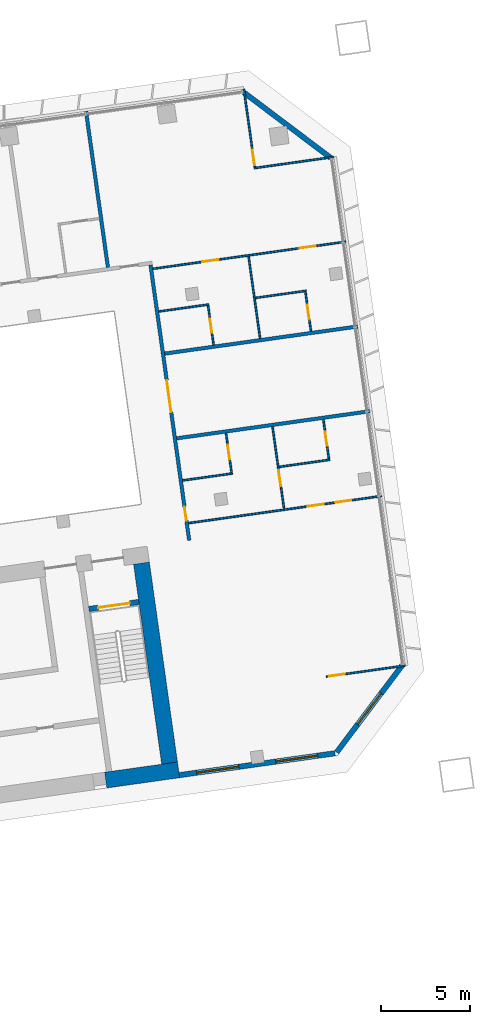
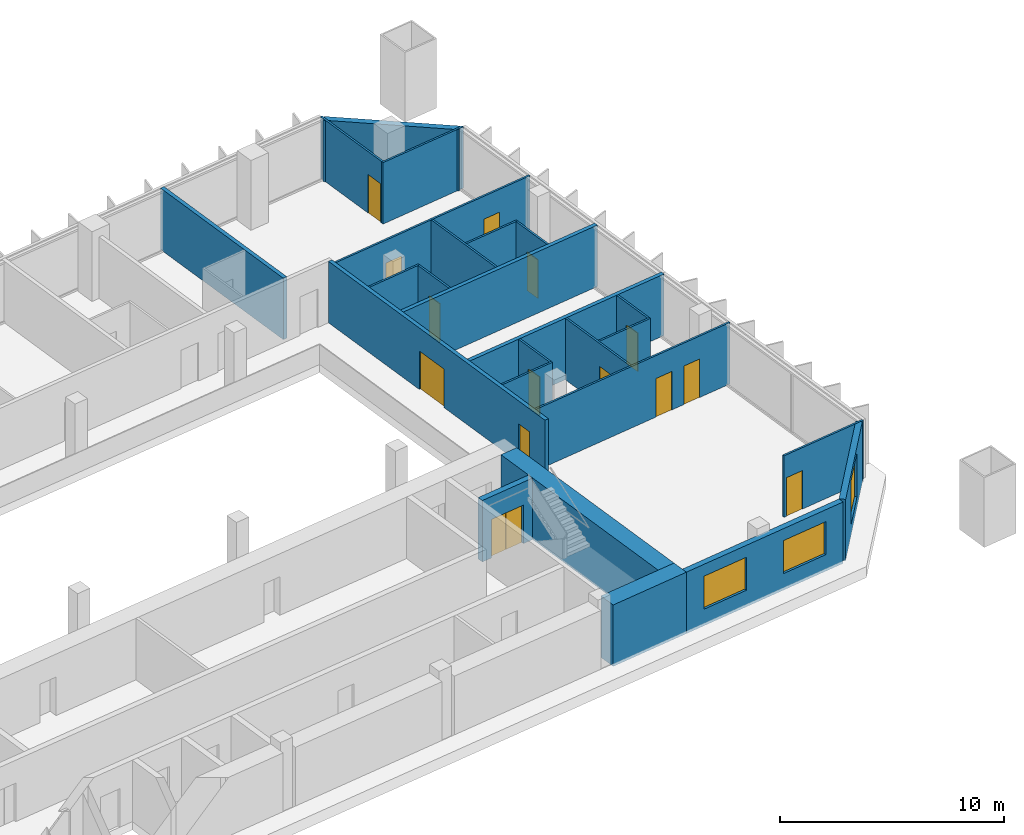
# One storey, part 21 of 24: 25 walls, 14 doors, 3 windows, 17 openings.
"""IFC4 building model written with IfcOpenShell, lengths in metres."""

from ifc_helpers import new_model, si_unit, direction, frame, frame_2d, origin, place, context, subcontext, project, spatial, rectangle, extrude, material, layer, layer_set, type_object, element, fill, save


model = new_model("IFC4")

# Units and contexts
model_context = context("Model", 3, precision=1e-05, world=origin(), true_north=direction((0.0, 1.0)))
body_context = subcontext(model_context, "Body", "Model", "MODEL_VIEW")
ifc_project = project(units=[si_unit("LENGTHUNIT", "METRE"), si_unit("AREAUNIT", "SQUARE_METRE"), si_unit("VOLUMEUNIT", "CUBIC_METRE"), si_unit("PLANEANGLEUNIT", "RADIAN"), si_unit("MASSUNIT", "GRAM", prefix="KILO")], contexts=[model_context])

# Site, building, storey
site_placement = place(None, origin())
site = spatial("IfcSite", under=ifc_project, at=site_placement, CompositionType="ELEMENT")
building_placement = place(site_placement, origin())
building = spatial("IfcBuilding", under=site, at=building_placement, Name="Mirante Cascada Hotel Towers", CompositionType="ELEMENT")
storey_placement = place(building_placement, frame((0.0, 0.0, 50.9)))
storey = spatial("IfcBuildingStorey", under=building, at=storey_placement, Name="L09", CompositionType="ELEMENT", Elevation=50.9)

# Walls
ifc_material_1 = material(Name="Fire-rated plasterboard on metal studs")
ifc_layer_1 = layer(ifc_material_1, 0.2)
ifc_layer_set_1 = layer_set([ifc_layer_1], Name="Compartment wall 200 EI 120")
wall_type_1 = type_object("IfcWallType", Name="Compartment wall 200 EI 120", PredefinedType="PARTITIONING", material=ifc_layer_set_1)
for number, where, z_axis, x_axis, name in (
    (1, (90.4064, 6.4896, 0.0), (0.0, 0.0, 1.0), (0.990268, 0.1391733, 0.0), "Wall 2-L09-08"),
    (2, (89.7337, 11.2758, 0.0), (0.0, 0.0, 1.0), (0.990268, 0.1391733, 0.0), "Wall 2-L09-12"),
):
    element("IfcWall", number, at=place(storey_placement, frame(where, z_axis=z_axis, x_axis=x_axis)), inside=storey, type_object=wall_type_1, Name=name, PredefinedType="PARTITIONING", context=body_context, shape_type="SweptSolid", body=[
        extrude(rectangle(XDim=11.0, YDim=0.2, at=frame_2d((5.5, 0.0))), origin(), (0.0, 0.0, 1.0), 3.35),
    ])
wall_1_placement = place(storey_placement, frame((85.2864, 24.9567, 0.0), z_axis=(0.0, 0.0, 1.0), x_axis=(0.1391684, -0.9902687, 0.0)))
element("IfcWall", 3, at=wall_1_placement, inside=storey, type_object=wall_type_1, Name="Wall 2-L09-49", PredefinedType="PARTITIONING", context=body_context, shape_type="SweptSolid", body=[
    extrude(rectangle(XDim=8.9, YDim=0.2, at=frame_2d((4.45, 0.0))), origin(), (0.0, 0.0, 1.0), 3.35),
])

# Wall, openings, doors
wall_2_placement = place(storey_placement, frame((91.1145, 0.7321, 0.0), z_axis=(0.0, 0.0, 1.0), x_axis=(-0.1391721, 0.9902682, 0.0)))
wall_2 = element("IfcWall", 4, at=wall_2_placement, inside=storey, type_object=wall_type_1, Name="Wall 2-L09-50", PredefinedType="PARTITIONING", context=body_context, shape_type="SweptSolid", body=[
    extrude(rectangle(XDim=15.7, YDim=0.2, at=frame_2d((7.85, 0.0))), origin(), (0.0, 0.0, 1.0), 3.35),
])
opening_1_placement = place(wall_2_placement, frame((1.1167, 0.0, 0.0)))
opening_1 = element("IfcOpeningElement", 5, at=opening_1_placement, cuts=wall_2, Name="Opening D2-L09-34", PredefinedType="OPENING", context=body_context, shape_type="SweptSolid", body=[
    extrude(rectangle(XDim=0.8, YDim=2.1, at=frame_2d((0.4, 1.05))), frame((0.0, 0.1, 0.0), z_axis=(0.0, -1.0, 0.0), x_axis=(1.0, 0.0, 0.0)), (0.0, 0.0, 1.0), 0.2),
])
opening_2_placement = place(wall_2_placement, frame((7.3167, 0.0, 0.0)))
opening_2 = element("IfcOpeningElement", 6, at=opening_2_placement, cuts=wall_2, Name="Opening D2-L09-35", PredefinedType="OPENING", context=body_context, shape_type="SweptSolid", body=[
    extrude(rectangle(XDim=1.8, YDim=2.1, at=frame_2d((0.9, 1.05))), frame((0.0, 0.1, 0.0), z_axis=(0.0, -1.0, 0.0), x_axis=(1.0, 0.0, 0.0)), (0.0, 0.0, 1.0), 0.2),
])
ifc_material_2 = material(Name="Fire-rated timber door leaf", Category="wood")
door_type_1 = type_object("IfcDoorType", Name="Bathroom door DG4 800x2100 EI 60", OperationType="SINGLE_SWING_LEFT", PredefinedType="DOOR", material=ifc_material_2)
door_1_placement = place(opening_1_placement, origin())
door_1 = element("IfcDoor", 7, at=door_1_placement, inside=storey, type_object=door_type_1, Name="Door D2-L09-34", OperationType="SINGLE_SWING_LEFT", OverallHeight=2.1, OverallWidth=0.8, PredefinedType="DOOR", context=body_context, shape_type="SweptSolid", body=[
    extrude(rectangle(XDim=0.8, YDim=2.1, at=frame_2d((0.4, 1.05))), frame((0.0, 0.025, 0.0), z_axis=(0.0, -1.0, 0.0), x_axis=(1.0, 0.0, 0.0)), (0.0, 0.0, 1.0), 0.05),
])
fill(opening_1, door_1)
ifc_material_3 = material(Name="Fire-rated timber door leaf", Category="wood")
door_type_2 = type_object("IfcDoorType", Name="Suite double door DG2 1800x2100 EI 60", OperationType="DOUBLE_DOOR_SINGLE_SWING", PredefinedType="DOOR", material=ifc_material_3)
door_2_placement = place(opening_2_placement, origin())
door_2 = element("IfcDoor", 8, at=door_2_placement, inside=storey, type_object=door_type_2, Name="Door D2-L09-35", OperationType="DOUBLE_DOOR_SINGLE_SWING", OverallHeight=2.1, OverallWidth=1.8, PredefinedType="DOOR", context=body_context, shape_type="SweptSolid", body=[
    extrude(rectangle(XDim=0.895, YDim=2.1, at=frame_2d((0.4475, 1.05))), frame((0.0, 0.025, 0.0), z_axis=(0.0, -1.0, 0.0), x_axis=(1.0, 0.0, 0.0)), (0.0, 0.0, 1.0), 0.05),
    extrude(rectangle(XDim=0.895, YDim=2.1, at=frame_2d((1.3525, 1.05))), frame((0.0, 0.025, 0.0), z_axis=(0.0, -1.0, 0.0), x_axis=(1.0, 0.0, 0.0)), (0.0, 0.0, 1.0), 0.05),
])
fill(opening_2, door_2)

# Wall, opening, door
ifc_material_4 = material(Name="Plasterboard on metal studs")
ifc_layer_2 = layer(ifc_material_4, 0.1)
ifc_layer_set_2 = layer_set([ifc_layer_2], Name="Partition 100")
wall_type_2 = type_object("IfcWallType", Name="Partition 100", PredefinedType="PARTITIONING", material=ifc_layer_set_2)
wall_3_placement = place(storey_placement, frame((98.8611, -6.9647, 0.0), z_axis=(0.0, 0.0, 1.0), x_axis=(0.9902674, 0.1391779, 0.0)))
wall_3 = element("IfcWall", 9, at=wall_3_placement, inside=storey, type_object=wall_type_2, Name="Wall 2-L09-02", PredefinedType="PARTITIONING", context=body_context, shape_type="SweptSolid", body=[
    extrude(rectangle(XDim=4.5, YDim=0.1, at=frame_2d((2.25, 0.0))), origin(), (0.0, 0.0, 1.0), 3.35),
])
opening_3_placement = place(wall_3_placement, frame((0.15, 0.0, 0.0)))
opening_3 = element("IfcOpeningElement", 10, at=opening_3_placement, cuts=wall_3, Name="Opening D2-L09-02", PredefinedType="OPENING", context=body_context, shape_type="SweptSolid", body=[
    extrude(rectangle(XDim=0.9, YDim=2.1, at=frame_2d((0.45, 1.05))), frame((0.0, 0.05, 0.0), z_axis=(0.0, -1.0, 0.0), x_axis=(1.0, 0.0, 0.0)), (0.0, 0.0, 1.0), 0.1),
])
ifc_material_5 = material(Name="Timber door leaf", Category="wood")
door_type_3 = type_object("IfcDoorType", Name="Room door DG3 900x2100", OperationType="SINGLE_SWING_LEFT", PredefinedType="DOOR", material=ifc_material_5)
door_3_placement = place(opening_3_placement, origin())
door_3 = element("IfcDoor", 11, at=door_3_placement, inside=storey, type_object=door_type_3, Name="Door D2-L09-02", OperationType="SINGLE_SWING_LEFT", OverallHeight=2.1, OverallWidth=0.9, PredefinedType="DOOR", context=body_context, shape_type="SweptSolid", body=[
    extrude(rectangle(XDim=0.9, YDim=2.1, at=frame_2d((0.45, 1.05))), frame((0.0, 0.025, 0.0), z_axis=(0.0, -1.0, 0.0), x_axis=(1.0, 0.0, 0.0)), (0.0, 0.0, 1.0), 0.05),
])
fill(opening_3, door_3)

# Wall, openings, doors
wall_4_placement = place(storey_placement, frame((101.972, 3.2342, 0.0), z_axis=(0.0, 0.0, 1.0), x_axis=(-0.9902682, -0.1391721, 0.0)))
wall_4 = element("IfcWall", 12, at=wall_4_placement, inside=storey, type_object=wall_type_2, Name="Wall 2-L09-03", PredefinedType="PARTITIONING", context=body_context, shape_type="SweptSolid", body=[
    extrude(rectangle(XDim=11.0001, YDim=0.1, at=frame_2d((5.5, 0.0))), origin(), (0.0, 0.0, 1.0), 3.35),
])
opening_4_placement = place(wall_4_placement, frame((3.3, 0.0, 0.0)))
opening_4 = element("IfcOpeningElement", 13, at=opening_4_placement, cuts=wall_4, Name="Opening D2-L09-03", PredefinedType="OPENING", context=body_context, shape_type="SweptSolid", body=[
    extrude(rectangle(XDim=0.9, YDim=2.1, at=frame_2d((0.45, 1.05))), frame((0.0, 0.05, 0.0), z_axis=(0.0, -1.0, 0.0), x_axis=(1.0, 0.0, 0.0)), (0.0, 0.0, 1.0), 0.1),
])
opening_5_placement = place(wall_4_placement, frame((1.725, 0.0, 0.0)))
opening_5 = element("IfcOpeningElement", 14, at=opening_5_placement, cuts=wall_4, Name="Opening D2-L09-04", PredefinedType="OPENING", context=body_context, shape_type="SweptSolid", body=[
    extrude(rectangle(XDim=0.9, YDim=2.1, at=frame_2d((0.45, 1.05))), frame((0.0, 0.05, 0.0), z_axis=(0.0, -1.0, 0.0), x_axis=(1.0, 0.0, 0.0)), (0.0, 0.0, 1.0), 0.1),
])
door_4_placement = place(opening_4_placement, origin())
door_4 = element("IfcDoor", 15, at=door_4_placement, inside=storey, type_object=door_type_3, Name="Door D2-L09-03", OperationType="SINGLE_SWING_LEFT", OverallHeight=2.1, OverallWidth=0.9, PredefinedType="DOOR", context=body_context, shape_type="SweptSolid", body=[
    extrude(rectangle(XDim=0.9, YDim=2.1, at=frame_2d((0.45, 1.05))), frame((0.0, 0.025, 0.0), z_axis=(0.0, -1.0, 0.0), x_axis=(1.0, 0.0, 0.0)), (0.0, 0.0, 1.0), 0.05),
])
fill(opening_4, door_4)
door_5_placement = place(opening_5_placement, origin())
door_5 = element("IfcDoor", 16, at=door_5_placement, inside=storey, type_object=door_type_3, Name="Door D2-L09-04", OperationType="SINGLE_SWING_LEFT", OverallHeight=2.1, OverallWidth=0.9, PredefinedType="DOOR", context=body_context, shape_type="SweptSolid", body=[
    extrude(rectangle(XDim=0.9, YDim=2.1, at=frame_2d((0.45, 1.05))), frame((0.0, 0.025, 0.0), z_axis=(0.0, -1.0, 0.0), x_axis=(1.0, 0.0, 0.0)), (0.0, 0.0, 1.0), 0.05),
])
fill(opening_5, door_5)

# Walls
wall_5_placement = place(storey_placement, frame((93.5626, 4.5096, 0.0), z_axis=(0.0, 0.0, 1.0), x_axis=(-0.9902649, -0.1391957, 0.0)))
element("IfcWall", 17, at=wall_5_placement, inside=storey, type_object=wall_type_2, Name="Wall 2-L09-05", PredefinedType="PARTITIONING", context=body_context, shape_type="SweptSolid", body=[
    extrude(rectangle(XDim=2.8499, YDim=0.1, at=frame_2d((1.425, 0.0))), origin(), (0.0, 0.0, 1.0), 3.35),
])
wall_6_placement = place(storey_placement, frame((96.1868, 4.8784, 0.0), z_axis=(0.0, 0.0, 1.0), x_axis=(0.9902683, 0.1391714, 0.0)))
element("IfcWall", 18, at=wall_6_placement, inside=storey, type_object=wall_type_2, Name="Wall 2-L09-06", PredefinedType="PARTITIONING", context=body_context, shape_type="SweptSolid", body=[
    extrude(rectangle(XDim=2.9, YDim=0.1, at=frame_2d((1.45, 0.0))), origin(), (0.0, 0.0, 1.0), 3.35),
])
wall_7_placement = place(storey_placement, frame((92.2219, 14.0491, 0.0), z_axis=(0.0, 0.0, 1.0), x_axis=(-0.9902697, -0.1391613, 0.0)))
element("IfcWall", 19, at=wall_7_placement, inside=storey, type_object=wall_type_2, Name="Wall 2-L09-15", PredefinedType="PARTITIONING", context=body_context, shape_type="SweptSolid", body=[
    extrude(rectangle(XDim=2.8499, YDim=0.1, at=frame_2d((1.425, 0.0))), origin(), (0.0, 0.0, 1.0), 3.35),
])
wall_8_placement = place(storey_placement, frame((94.8461, 14.4179, 0.0), z_axis=(0.0, 0.0, 1.0), x_axis=(0.9902683, 0.1391714, 0.0)))
element("IfcWall", 20, at=wall_8_placement, inside=storey, type_object=wall_type_2, Name="Wall 2-L09-16", PredefinedType="PARTITIONING", context=body_context, shape_type="SweptSolid", body=[
    extrude(rectangle(XDim=2.9, YDim=0.1, at=frame_2d((1.45, 0.0))), origin(), (0.0, 0.0, 1.0), 3.35),
])

# Wall, openings, doors
wall_9_placement = place(storey_placement, frame((89.061, 16.0622, 0.0), z_axis=(0.0, 0.0, 1.0), x_axis=(0.9902682, 0.1391721, 0.0)))
wall_9 = element("IfcWall", 21, at=wall_9_placement, inside=storey, type_object=wall_type_2, Name="Wall 2-L09-18", PredefinedType="PARTITIONING", context=body_context, shape_type="SweptSolid", body=[
    extrude(rectangle(XDim=11.0001, YDim=0.1, at=frame_2d((5.5, 0.0))), origin(), (0.0, 0.0, 1.0), 3.35),
])
opening_6_placement = place(wall_9_placement, frame((2.825, 0.0, 0.0)))
opening_6 = element("IfcOpeningElement", 22, at=opening_6_placement, cuts=wall_9, Name="Opening D2-L09-10", PredefinedType="OPENING", context=body_context, shape_type="SweptSolid", body=[
    extrude(rectangle(XDim=0.9, YDim=2.1, at=frame_2d((0.45, 1.05))), frame((0.0, 0.05, 0.0), z_axis=(0.0, -1.0, 0.0), x_axis=(1.0, 0.0, 0.0)), (0.0, 0.0, 1.0), 0.1),
])
opening_7_placement = place(wall_9_placement, frame((8.375, 0.0, 0.0)))
opening_7 = element("IfcOpeningElement", 23, at=opening_7_placement, cuts=wall_9, Name="Opening D2-L09-11", PredefinedType="OPENING", context=body_context, shape_type="SweptSolid", body=[
    extrude(rectangle(XDim=0.9, YDim=2.1, at=frame_2d((0.45, 1.05))), frame((0.0, 0.05, 0.0), z_axis=(0.0, -1.0, 0.0), x_axis=(1.0, 0.0, 0.0)), (0.0, 0.0, 1.0), 0.1),
])
door_6_placement = place(opening_6_placement, origin())
door_6 = element("IfcDoor", 24, at=door_6_placement, inside=storey, type_object=door_type_3, Name="Door D2-L09-10", OperationType="SINGLE_SWING_LEFT", OverallHeight=2.1, OverallWidth=0.9, PredefinedType="DOOR", context=body_context, shape_type="SweptSolid", body=[
    extrude(rectangle(XDim=0.9, YDim=2.1, at=frame_2d((0.45, 1.05))), frame((0.0, 0.025, 0.0), z_axis=(0.0, -1.0, 0.0), x_axis=(1.0, 0.0, 0.0)), (0.0, 0.0, 1.0), 0.05),
])
fill(opening_6, door_6)
door_7_placement = place(opening_7_placement, origin())
door_7 = element("IfcDoor", 25, at=door_7_placement, inside=storey, type_object=door_type_3, Name="Door D2-L09-11", OperationType="SINGLE_SWING_LEFT", OverallHeight=2.1, OverallWidth=0.9, PredefinedType="DOOR", context=body_context, shape_type="SweptSolid", body=[
    extrude(rectangle(XDim=0.9, YDim=2.1, at=frame_2d((0.45, 1.05))), frame((0.0, 0.025, 0.0), z_axis=(0.0, -1.0, 0.0), x_axis=(1.0, 0.0, 0.0)), (0.0, 0.0, 1.0), 0.05),
])
fill(opening_7, door_7)

# Wall
wall_10_placement = place(storey_placement, frame((99.2813, 22.3794, 0.0), z_axis=(0.0, 0.0, 1.0), x_axis=(-0.9902661, -0.1391871, 0.0)))
element("IfcWall", 26, at=wall_10_placement, inside=storey, type_object=wall_type_2, Name="Wall 2-L09-27", PredefinedType="PARTITIONING", context=body_context, shape_type="SweptSolid", body=[
    extrude(rectangle(XDim=4.55, YDim=0.1, at=frame_2d((2.275, 0.0))), origin(), (0.0, 0.0, 1.0), 3.35),
])

# Wall, opening, door
wall_11_placement = place(storey_placement, frame((93.193, 6.7802, 0.0), z_axis=(0.0, 0.0, 1.0), x_axis=(0.1391997, -0.9902643, 0.0)))
wall_11 = element("IfcWall", 27, at=wall_11_placement, inside=storey, type_object=wall_type_2, Name="Wall 2-L09-51", PredefinedType="PARTITIONING", context=body_context, shape_type="SweptSolid", body=[
    extrude(rectangle(XDim=2.25, YDim=0.1, at=frame_2d((1.125, 0.0))), origin(), (0.0, 0.0, 1.0), 3.35),
])
opening_8_placement = place(wall_11_placement, frame((0.7, 0.0, 0.0)))
opening_8 = element("IfcOpeningElement", 28, at=opening_8_placement, cuts=wall_11, Name="Opening D2-L09-36", PredefinedType="OPENING", context=body_context, shape_type="SweptSolid", body=[
    extrude(rectangle(XDim=0.8, YDim=2.1, at=frame_2d((0.4, 1.05))), frame((0.0, 0.05, 0.0), z_axis=(0.0, -1.0, 0.0), x_axis=(1.0, 0.0, 0.0)), (0.0, 0.0, 1.0), 0.1),
])
ifc_material_6 = material(Name="Timber door leaf", Category="wood")
door_type_4 = type_object("IfcDoorType", Name="Bathroom door DG4 800x2100", OperationType="SINGLE_SWING_LEFT", PredefinedType="DOOR", material=ifc_material_6)
door_8_placement = place(opening_8_placement, frame((0.8, 0.0, 0.0), z_axis=(0.0, 0.0, 1.0), x_axis=(-1.0, 0.0, 0.0)))
door_8 = element("IfcDoor", 29, at=door_8_placement, inside=storey, type_object=door_type_4, Name="Door D2-L09-36", OperationType="SINGLE_SWING_RIGHT", OverallHeight=2.1, OverallWidth=0.8, PredefinedType="DOOR", context=body_context, shape_type="SweptSolid", body=[
    extrude(rectangle(XDim=0.8, YDim=2.1, at=frame_2d((0.4, 1.05))), frame((0.0, 0.025, 0.0), z_axis=(0.0, -1.0, 0.0), x_axis=(1.0, 0.0, 0.0)), (0.0, 0.0, 1.0), 0.05),
])
fill(opening_8, door_8)

wall_12_placement = place(storey_placement, frame((92.4925, 11.7645, 0.0), z_axis=(0.0, 0.0, 1.0), x_axis=(-0.1391561, 0.9902705, 0.0)))
wall_12 = element("IfcWall", 30, at=wall_12_placement, inside=storey, type_object=wall_type_2, Name="Wall 2-L09-52", PredefinedType="PARTITIONING", context=body_context, shape_type="SweptSolid", body=[
    extrude(rectangle(XDim=2.25, YDim=0.1, at=frame_2d((1.125, 0.0))), origin(), (0.0, 0.0, 1.0), 3.35),
])
opening_9_placement = place(wall_12_placement, frame((0.7, 0.0, 0.0)))
opening_9 = element("IfcOpeningElement", 31, at=opening_9_placement, cuts=wall_12, Name="Opening D2-L09-37", PredefinedType="OPENING", context=body_context, shape_type="SweptSolid", body=[
    extrude(rectangle(XDim=0.8, YDim=2.1, at=frame_2d((0.4, 1.05))), frame((0.0, 0.05, 0.0), z_axis=(0.0, -1.0, 0.0), x_axis=(1.0, 0.0, 0.0)), (0.0, 0.0, 1.0), 0.1),
])
door_9_placement = place(opening_9_placement, origin())
door_9 = element("IfcDoor", 32, at=door_9_placement, inside=storey, type_object=door_type_4, Name="Door D2-L09-37", OperationType="SINGLE_SWING_LEFT", OverallHeight=2.1, OverallWidth=0.8, PredefinedType="DOOR", context=body_context, shape_type="SweptSolid", body=[
    extrude(rectangle(XDim=0.8, YDim=2.1, at=frame_2d((0.4, 1.05))), frame((0.0, 0.025, 0.0), z_axis=(0.0, -1.0, 0.0), x_axis=(1.0, 0.0, 0.0)), (0.0, 0.0, 1.0), 0.05),
])
fill(opening_9, door_9)

wall_13_placement = place(storey_placement, frame((95.8172, 7.149, 0.0), z_axis=(0.0, 0.0, 1.0), x_axis=(0.139176, -0.9902677, 0.0)))
wall_13 = element("IfcWall", 33, at=wall_13_placement, inside=storey, type_object=wall_type_2, Name="Wall 2-L09-53", PredefinedType="PARTITIONING", context=body_context, shape_type="SweptSolid", body=[
    extrude(rectangle(XDim=4.6833, YDim=0.1, at=frame_2d((2.3416, 0.0))), origin(), (0.0, 0.0, 1.0), 3.35),
])
opening_10_placement = place(wall_13_placement, frame((2.4833, 0.0, 0.0)))
opening_10 = element("IfcOpeningElement", 34, at=opening_10_placement, cuts=wall_13, Name="Opening D2-L09-38", PredefinedType="OPENING", context=body_context, shape_type="SweptSolid", body=[
    extrude(rectangle(XDim=0.9, YDim=2.1, at=frame_2d((0.45, 1.05))), frame((0.0, 0.05, 0.0), z_axis=(0.0, -1.0, 0.0), x_axis=(1.0, 0.0, 0.0)), (0.0, 0.0, 1.0), 0.1),
])
door_10_placement = place(opening_10_placement, frame((0.9, 0.0, 0.0), z_axis=(0.0, 0.0, 1.0), x_axis=(-1.0, 0.0, 0.0)))
door_10 = element("IfcDoor", 35, at=door_10_placement, inside=storey, type_object=door_type_3, Name="Door D2-L09-38", OperationType="SINGLE_SWING_RIGHT", OverallHeight=2.1, OverallWidth=0.9, PredefinedType="DOOR", context=body_context, shape_type="SweptSolid", body=[
    extrude(rectangle(XDim=0.9, YDim=2.1, at=frame_2d((0.45, 1.05))), frame((0.0, 0.025, 0.0), z_axis=(0.0, -1.0, 0.0), x_axis=(1.0, 0.0, 0.0)), (0.0, 0.0, 1.0), 0.05),
])
fill(opening_10, door_10)

# Wall
wall_14_placement = place(storey_placement, frame((95.1167, 12.1333, 0.0), z_axis=(0.0, 0.0, 1.0), x_axis=(-0.1391701, 0.9902685, 0.0)))
element("IfcWall", 36, at=wall_14_placement, inside=storey, type_object=wall_type_2, Name="Wall 2-L09-54", PredefinedType="PARTITIONING", context=body_context, shape_type="SweptSolid", body=[
    extrude(rectangle(XDim=4.6835, YDim=0.1, at=frame_2d((2.3418, 0.0))), origin(), (0.0, 0.0, 1.0), 3.35),
])

# Wall, opening, door
wall_15_placement = place(storey_placement, frame((94.1988, 26.2093, 0.0), z_axis=(0.0, 0.0, 1.0), x_axis=(0.1391684, -0.9902687, 0.0)))
wall_15 = element("IfcWall", 37, at=wall_15_placement, inside=storey, type_object=wall_type_2, Name="Wall 2-L09-55", PredefinedType="PARTITIONING", context=body_context, shape_type="SweptSolid", body=[
    extrude(rectangle(XDim=4.45, YDim=0.1, at=frame_2d((2.225, 0.0))), origin(), (0.0, 0.0, 1.0), 3.35),
])
opening_11_placement = place(wall_15_placement, frame((3.45, 0.0, 0.0)))
opening_11 = element("IfcOpeningElement", 38, at=opening_11_placement, cuts=wall_15, Name="Opening D2-L09-39", PredefinedType="OPENING", context=body_context, shape_type="SweptSolid", body=[
    extrude(rectangle(XDim=0.9, YDim=2.1, at=frame_2d((0.45, 1.05))), frame((0.0, 0.05, 0.0), z_axis=(0.0, -1.0, 0.0), x_axis=(1.0, 0.0, 0.0)), (0.0, 0.0, 1.0), 0.1),
])
door_11_placement = place(opening_11_placement, frame((0.9, 0.0, 0.0), z_axis=(0.0, 0.0, 1.0), x_axis=(-1.0, 0.0, 0.0)))
door_11 = element("IfcDoor", 39, at=door_11_placement, inside=storey, type_object=door_type_3, Name="Door D2-L09-39", OperationType="SINGLE_SWING_RIGHT", OverallHeight=2.1, OverallWidth=0.9, PredefinedType="DOOR", context=body_context, shape_type="SweptSolid", body=[
    extrude(rectangle(XDim=0.9, YDim=2.1, at=frame_2d((0.45, 1.05))), frame((0.0, 0.025, 0.0), z_axis=(0.0, -1.0, 0.0), x_axis=(1.0, 0.0, 0.0)), (0.0, 0.0, 1.0), 0.05),
])
fill(opening_11, door_11)

wall_16_placement = place(storey_placement, frame((99.0021, 5.3245, 0.0), z_axis=(0.0, 0.0, 1.0), x_axis=(-0.1391561, 0.9902705, 0.0)))
wall_16 = element("IfcWall", 40, at=wall_16_placement, inside=storey, type_object=wall_type_2, Name="Wall 2-L09-56", PredefinedType="PARTITIONING", context=body_context, shape_type="SweptSolid", body=[
    extrude(rectangle(XDim=2.25, YDim=0.1, at=frame_2d((1.125, 0.0))), origin(), (0.0, 0.0, 1.0), 3.35),
])
opening_12_placement = place(wall_16_placement, frame((0.75, 0.0, 0.0)))
opening_12 = element("IfcOpeningElement", 41, at=opening_12_placement, cuts=wall_16, Name="Opening D2-L09-40", PredefinedType="OPENING", context=body_context, shape_type="SweptSolid", body=[
    extrude(rectangle(XDim=0.8, YDim=2.1, at=frame_2d((0.4, 1.05))), frame((0.0, 0.05, 0.0), z_axis=(0.0, -1.0, 0.0), x_axis=(1.0, 0.0, 0.0)), (0.0, 0.0, 1.0), 0.1),
])
door_12_placement = place(opening_12_placement, origin())
door_12 = element("IfcDoor", 42, at=door_12_placement, inside=storey, type_object=door_type_4, Name="Door D2-L09-40", OperationType="SINGLE_SWING_LEFT", OverallHeight=2.1, OverallWidth=0.8, PredefinedType="DOOR", context=body_context, shape_type="SweptSolid", body=[
    extrude(rectangle(XDim=0.8, YDim=2.1, at=frame_2d((0.4, 1.05))), frame((0.0, 0.025, 0.0), z_axis=(0.0, -1.0, 0.0), x_axis=(1.0, 0.0, 0.0)), (0.0, 0.0, 1.0), 0.05),
])
fill(opening_12, door_12)

wall_17_placement = place(storey_placement, frame((97.6754, 14.765, 0.0), z_axis=(0.0, 0.0, 1.0), x_axis=(0.1391561, -0.9902705, 0.0)))
wall_17 = element("IfcWall", 43, at=wall_17_placement, inside=storey, type_object=wall_type_2, Name="Wall 2-L09-57", PredefinedType="PARTITIONING", context=body_context, shape_type="SweptSolid", body=[
    extrude(rectangle(XDim=2.25, YDim=0.1, at=frame_2d((1.125, 0.0))), origin(), (0.0, 0.0, 1.0), 3.35),
])
opening_13_placement = place(wall_17_placement, frame((0.75, 0.0, 0.0)))
opening_13 = element("IfcOpeningElement", 44, at=opening_13_placement, cuts=wall_17, Name="Opening D2-L09-41", PredefinedType="OPENING", context=body_context, shape_type="SweptSolid", body=[
    extrude(rectangle(XDim=0.8, YDim=2.1, at=frame_2d((0.4, 1.05))), frame((0.0, 0.05, 0.0), z_axis=(0.0, -1.0, 0.0), x_axis=(1.0, 0.0, 0.0)), (0.0, 0.0, 1.0), 0.1),
])
door_13_placement = place(opening_13_placement, frame((0.8, 0.0, 0.0), z_axis=(0.0, 0.0, 1.0), x_axis=(-1.0, 0.0, 0.0)))
door_13 = element("IfcDoor", 45, at=door_13_placement, inside=storey, type_object=door_type_4, Name="Door D2-L09-41", OperationType="SINGLE_SWING_RIGHT", OverallHeight=2.1, OverallWidth=0.8, PredefinedType="DOOR", context=body_context, shape_type="SweptSolid", body=[
    extrude(rectangle(XDim=0.8, YDim=2.1, at=frame_2d((0.4, 1.05))), frame((0.0, 0.025, 0.0), z_axis=(0.0, -1.0, 0.0), x_axis=(1.0, 0.0, 0.0)), (0.0, 0.0, 1.0), 0.05),
])
fill(opening_13, door_13)

# Wall, openings, windows
ifc_material_7 = material(Name="Precast concrete C40/50", Category="concrete")
ifc_layer_3 = layer(ifc_material_7, 0.3)
ifc_layer_set_3 = layer_set([ifc_layer_3], Name="Precast concrete C40/50 cladding wall 300")
wall_type_3 = type_object("IfcWallType", Name="Precast concrete C40/50 cladding wall 300", PredefinedType="STANDARD", material=ifc_layer_set_3)
wall_18_placement = place(storey_placement, frame((90.5541, -12.5249, 0.0), z_axis=(0.0, 0.0, 1.0), x_axis=(0.9902678, 0.1391749, 0.0)))
wall_18 = element("IfcWall", 46, at=wall_18_placement, inside=storey, type_object=wall_type_3, Name="Rear cladding wall T2 L09 1", PredefinedType="STANDARD", context=body_context, shape_type="SweptSolid", body=[
    extrude(rectangle(XDim=8.8759, YDim=0.3, at=frame_2d((4.438, 0.0))), origin(), (0.0, 0.0, 1.0), 3.35),
])
opening_14_placement = place(wall_18_placement, frame((1.0012, 0.0, 0.9)))
opening_14 = element("IfcOpeningElement", 47, at=opening_14_placement, cuts=wall_18, Name="Opening W2-09-01", PredefinedType="OPENING", context=body_context, shape_type="SweptSolid", body=[
    extrude(rectangle(XDim=2.4, YDim=1.8, at=frame_2d((1.2, 0.9))), frame((0.0, 0.15, 0.0), z_axis=(0.0, -1.0, 0.0), x_axis=(1.0, 0.0, 0.0)), (0.0, 0.0, 1.0), 0.3),
])
opening_15_placement = place(wall_18_placement, frame((5.4923, 0.0, 0.9)))
opening_15 = element("IfcOpeningElement", 48, at=opening_15_placement, cuts=wall_18, Name="Opening W2-09-02", PredefinedType="OPENING", context=body_context, shape_type="SweptSolid", body=[
    extrude(rectangle(XDim=2.4, YDim=1.8, at=frame_2d((1.2, 0.9))), frame((0.0, 0.15, 0.0), z_axis=(0.0, -1.0, 0.0), x_axis=(1.0, 0.0, 0.0)), (0.0, 0.0, 1.0), 0.3),
])
ifc_material_8 = material(Name="Aluminium frame with clear double glazing", Category="aluminium")
window_type_1 = type_object("IfcWindowType", Name="Punched window 2400x1800", PartitioningType="DOUBLE_PANEL_VERTICAL", PredefinedType="WINDOW", material=ifc_material_8)
window_1_placement = place(opening_14_placement, origin())
window_1 = element("IfcWindow", 49, at=window_1_placement, inside=storey, type_object=window_type_1, Name="Window W2-09-01", OverallHeight=1.8, OverallWidth=2.4, PartitioningType="SINGLE_PANEL", PredefinedType="WINDOW", context=body_context, shape_type="SweptSolid", body=[
    extrude(rectangle(XDim=2.4, YDim=1.8, at=frame_2d((1.2, 0.9))), frame((0.0, 0.03, 0.0), z_axis=(0.0, -1.0, 0.0), x_axis=(1.0, 0.0, 0.0)), (0.0, 0.0, 1.0), 0.06),
])
fill(opening_14, window_1)
window_2_placement = place(opening_15_placement, origin())
window_2 = element("IfcWindow", 50, at=window_2_placement, inside=storey, type_object=window_type_1, Name="Window W2-09-02", OverallHeight=1.8, OverallWidth=2.4, PartitioningType="SINGLE_PANEL", PredefinedType="WINDOW", context=body_context, shape_type="SweptSolid", body=[
    extrude(rectangle(XDim=2.4, YDim=1.8, at=frame_2d((1.2, 0.9))), frame((0.0, 0.03, 0.0), z_axis=(0.0, -1.0, 0.0), x_axis=(1.0, 0.0, 0.0)), (0.0, 0.0, 1.0), 0.06),
])
fill(opening_15, window_2)

# Wall, opening, window
wall_19_placement = place(storey_placement, frame((99.4423, -11.2315, 0.0), z_axis=(0.0, 0.0, 1.0), x_axis=(0.6018141, 0.7986362, 0.0)))
wall_19 = element("IfcWall", 51, at=wall_19_placement, inside=storey, type_object=wall_type_3, Name="Corner cladding wall T2 L09 rear outer", PredefinedType="STANDARD", context=body_context, shape_type="SweptSolid", body=[
    extrude(rectangle(XDim=6.1157, YDim=0.3, at=frame_2d((3.0578, 0.0))), origin(), (0.0, 0.0, 1.0), 3.35),
])
opening_16_placement = place(wall_19_placement, frame((1.9578, 0.0, 0.6)))
opening_16 = element("IfcOpeningElement", 52, at=opening_16_placement, cuts=wall_19, Name="Opening W2-09-03", PredefinedType="OPENING", context=body_context, shape_type="SweptSolid", body=[
    extrude(rectangle(XDim=2.2, YDim=2.4, at=frame_2d((1.1, 1.2))), frame((0.0, 0.15, 0.0), z_axis=(0.0, -1.0, 0.0), x_axis=(1.0, 0.0, 0.0)), (0.0, 0.0, 1.0), 0.3),
])
ifc_material_9 = material(Name="Aluminium frame with clear double glazing", Category="aluminium")
window_type_2 = type_object("IfcWindowType", Name="Corner suite window 2200x2400", PartitioningType="DOUBLE_PANEL_VERTICAL", PredefinedType="WINDOW", material=ifc_material_9)
window_3_placement = place(opening_16_placement, origin())
window_3 = element("IfcWindow", 53, at=window_3_placement, inside=storey, type_object=window_type_2, Name="Window W2-09-03", OverallHeight=2.4, OverallWidth=2.2, PartitioningType="SINGLE_PANEL", PredefinedType="WINDOW", context=body_context, shape_type="SweptSolid", body=[
    extrude(rectangle(XDim=2.2, YDim=2.4, at=frame_2d((1.1, 1.2))), frame((0.0, 0.03, 0.0), z_axis=(0.0, -1.0, 0.0), x_axis=(1.0, 0.0, 0.0)), (0.0, 0.0, 1.0), 0.06),
])
fill(opening_16, window_3)

# Wall
wall_20_placement = place(storey_placement, frame((99.0919, 22.3343, 0.0), z_axis=(0.0, 0.0, 1.0), x_axis=(-0.7986362, 0.6018141, 0.0)))
element("IfcWall", 54, at=wall_20_placement, inside=storey, type_object=wall_type_3, Name="Corner cladding wall T2 L09 outer front", PredefinedType="STANDARD", context=body_context, shape_type="SweptSolid", body=[
    extrude(rectangle(XDim=6.1157, YDim=0.3, at=frame_2d((3.0578, 0.0))), origin(), (0.0, 0.0, 1.0), 3.35),
])

# Wall, opening, door
ifc_material_10 = material(Name="Concrete C50/60", Category="concrete")
ifc_layer_4 = layer(ifc_material_10, 0.3)
ifc_layer_set_4 = layer_set([ifc_layer_4], Name="RC core wall 300 C50/60")
wall_type_4 = type_object("IfcWallType", Name="RC core wall 300 C50/60", PredefinedType="SHEAR", material=ifc_layer_set_4)
wall_21_placement = place(storey_placement, frame((85.4489, -3.1441, 0.0), z_axis=(0.0, 0.0, 1.0), x_axis=(0.9902697, 0.1391613, 0.0)))
wall_21 = element("IfcWall", 55, at=wall_21_placement, inside=storey, type_object=wall_type_4, Name="Core wall T2:L09:11", PredefinedType="SHEAR", context=body_context, shape_type="SweptSolid", body=[
    extrude(rectangle(XDim=2.8499, YDim=0.3, at=frame_2d((1.425, 0.0))), origin(), (0.0, 0.0, 1.0), 3.35),
])
opening_17_placement = place(wall_21_placement, frame((0.525, 0.0, 0.0)))
opening_17 = element("IfcOpeningElement", 56, at=opening_17_placement, cuts=wall_21, Name="Opening D2-09-C17", PredefinedType="OPENING", context=body_context, shape_type="SweptSolid", body=[
    extrude(rectangle(XDim=1.8, YDim=2.1, at=frame_2d((0.9, 1.05))), frame((0.0, 0.15, 0.0), z_axis=(0.0, -1.0, 0.0), x_axis=(1.0, 0.0, 0.0)), (0.0, 0.0, 1.0), 0.3),
])
ifc_material_11 = material(Name="Hollow metal fire door leaf")
door_type_5 = type_object("IfcDoorType", Name="Double fire door 1800x2100 FD60", OperationType="DOUBLE_DOOR_SINGLE_SWING", PredefinedType="DOOR", material=ifc_material_11)
door_14_placement = place(opening_17_placement, frame((1.8, 0.0, 0.0), z_axis=(0.0, 0.0, 1.0), x_axis=(-1.0, 0.0, 0.0)))
door_14 = element("IfcDoor", 57, at=door_14_placement, inside=storey, type_object=door_type_5, Name="Stair door T2 L09 17", OperationType="DOUBLE_DOOR_SINGLE_SWING", OverallHeight=2.1, OverallWidth=1.8, PredefinedType="DOOR", context=body_context, shape_type="SweptSolid", body=[
    extrude(rectangle(XDim=0.895, YDim=2.1, at=frame_2d((0.4475, 1.05))), frame((0.0, 0.025, 0.0), z_axis=(0.0, -1.0, 0.0), x_axis=(1.0, 0.0, 0.0)), (0.0, 0.0, 1.0), 0.05),
    extrude(rectangle(XDim=0.895, YDim=2.1, at=frame_2d((1.3525, 1.05))), frame((0.0, 0.025, 0.0), z_axis=(0.0, -1.0, 0.0), x_axis=(1.0, 0.0, 0.0)), (0.0, 0.0, 1.0), 0.05),
])
fill(opening_17, door_14)

# Walls
ifc_material_12 = material(Name="Concrete C50/60", Category="concrete")
ifc_layer_5 = layer(ifc_material_12, 0.9)
ifc_layer_set_5 = layer_set([ifc_layer_5], Name="RC core wall 900 C50/60")
wall_type_5 = type_object("IfcWallType", Name="RC core wall 900 C50/60", PredefinedType="SHEAR", material=ifc_layer_set_5)
wall_22_placement = place(storey_placement, frame((86.4027, -12.8054, 0.0), z_axis=(0.0, 0.0, 1.0), x_axis=(0.990267, 0.139181, 0.0)))
element("IfcWall", 58, at=wall_22_placement, inside=storey, type_object=wall_type_5, Name="Core wall T2:L09:1.7", PredefinedType="SHEAR", context=body_context, shape_type="SweptSolid", body=[
    extrude(rectangle(XDim=4.15, YDim=0.9, at=frame_2d((2.075, 0.0))), origin(), (0.0, 0.0, 1.0), 3.35),
])
wall_23_placement = place(storey_placement, frame((90.0041, -11.8449, 0.0), z_axis=(0.0, 0.0, 1.0), x_axis=(-0.1391749, 0.9902678, 0.0)))
element("IfcWall", 59, at=wall_23_placement, inside=storey, type_object=wall_type_5, Name="Core wall T2:L09:4", PredefinedType="SHEAR", context=body_context, shape_type="SweptSolid", body=[
    extrude(rectangle(XDim=11.4, YDim=0.9, at=frame_2d((5.7, 0.0))), origin(), (0.0, 0.0, 1.0), 3.35),
])

save(model, "model.ifc")
